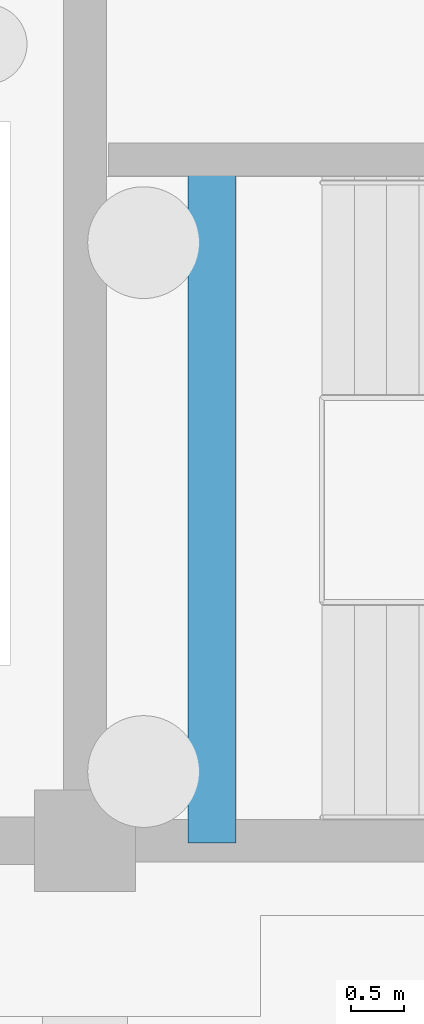
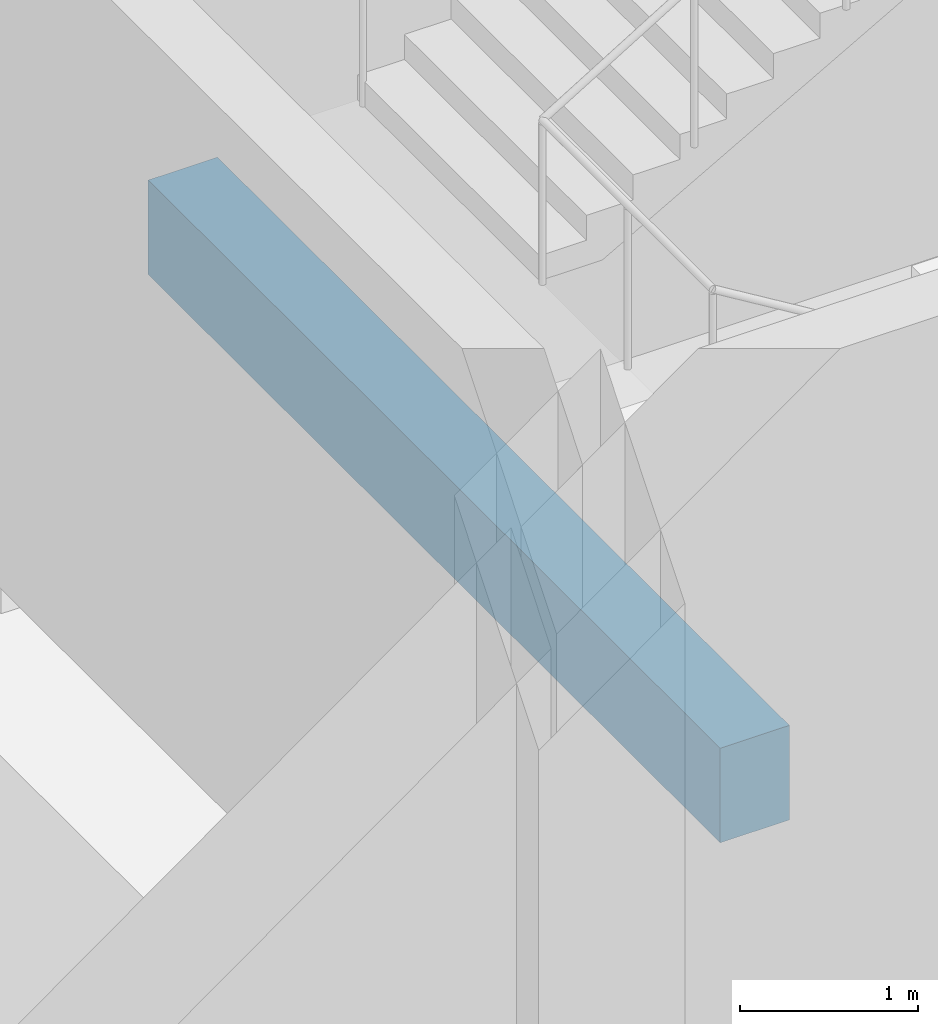
# One storey, part 20 of 42: 1 beam.
"""IFC4 building model written with IfcOpenShell, lengths in metres."""

from ifc_helpers import new_model, si_unit, direction, frame, origin, origin_2d, place, context, subcontext, project, spatial, rectangle, extrude, material, material_profile, profile_set, type_object, element, save


model = new_model("IFC4")

# Units and contexts
model_context = context("Model", 3, precision=1e-05, world=origin(), true_north=direction((0.0, 1.0)))
body_context = subcontext(model_context, "Body", "Model", "MODEL_VIEW")
ifc_project = project(units=[si_unit("LENGTHUNIT", "METRE"), si_unit("AREAUNIT", "SQUARE_METRE"), si_unit("VOLUMEUNIT", "CUBIC_METRE"), si_unit("PLANEANGLEUNIT", "RADIAN"), si_unit("MASSUNIT", "GRAM", prefix="KILO")], contexts=[model_context])

# Site, building, storey
site_placement = place(None, origin())
site = spatial("IfcSite", under=ifc_project, at=site_placement, CompositionType="ELEMENT")
building_placement = place(site_placement, origin())
building = spatial("IfcBuilding", under=site, at=building_placement, Name="Pellamere Symphony Hall", CompositionType="ELEMENT")
storey_placement = place(building_placement, frame((0.0, 0.0, -4.800048828125)))
storey = spatial("IfcBuildingStorey", under=building, at=storey_placement, Name="B1", CompositionType="ELEMENT", Elevation=-4.800048828125)

# Beam
ifc_material = material(Name="Concrete 40 MPa", Category="concrete")
ifc_material_profile = material_profile(ifc_material, rectangle(XDim=0.449951171875, YDim=0.64990234375, at=origin_2d()), Name="RC 450x650")
ifc_profile_set = profile_set([ifc_material_profile], Name="Concrete 40 MPa")
beam_type = type_object("IfcBeamType", Name="RC CB-08 450x650", PredefinedType="BEAM", material=ifc_profile_set)
beam_placement = place(storey_placement, frame((51.592529296875, 29.97998046875, 1.85498046875), z_axis=(0.0, 1.0, 0.0), x_axis=(-1.0, 0.0, 0.0)))
element("IfcBeam", 1, at=beam_placement, inside=storey, type_object=beam_type, Name="Stair ST01-B1 Half Landing Support Beam (B1)", PredefinedType="BEAM", context=body_context, shape_type="SweptSolid", body=[
    extrude(rectangle(XDim=0.449951171875, YDim=0.64990234375, at=origin_2d()), origin(), (0.0, 0.0, 1.0), 6.43994140625),
])

save(model, "model.ifc")
